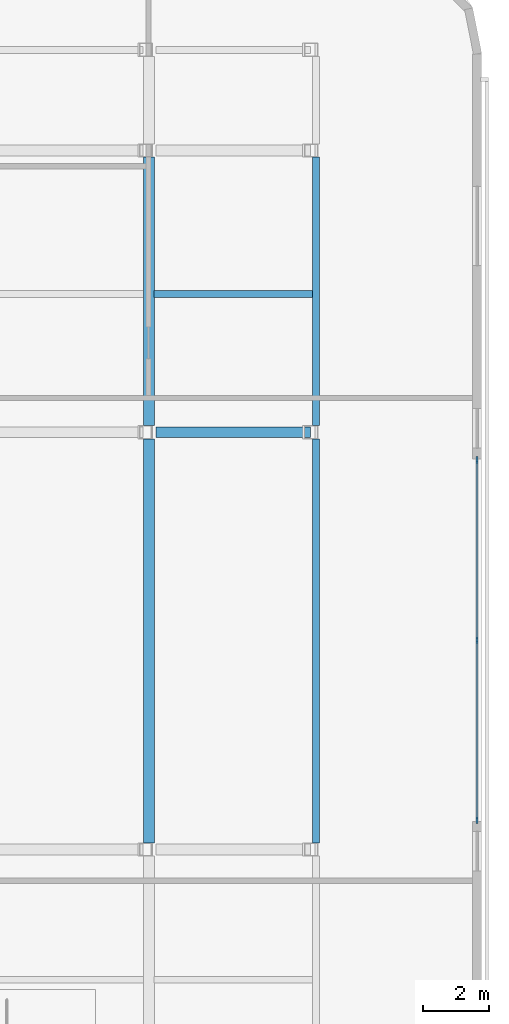
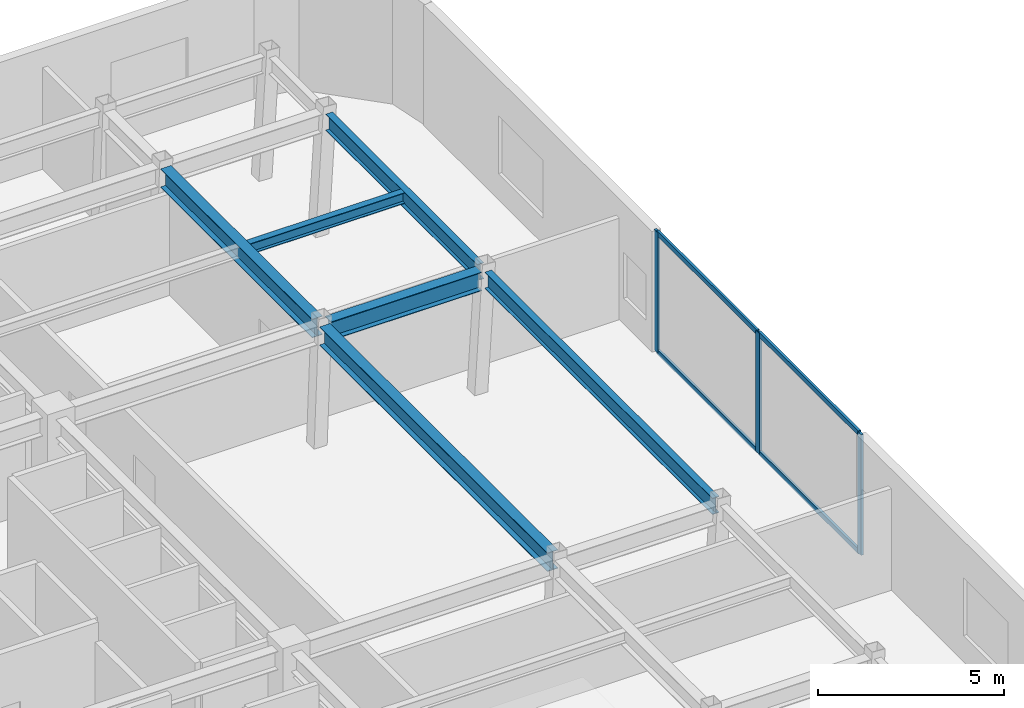
# One storey, part 4 of 13: 7 members, 6 beams, 1 element without a shape of its own.
"""IFC4 building model written with IfcOpenShell, lengths in metres."""

from ifc_helpers import new_model, si_unit, direction, frame, origin, origin_2d, place, context, subcontext, project, spatial, rectangle, i_section, extrude, material, layer, layer_set, material_profile, profile_set, type_object, element, aggregate, save


model = new_model("IFC4")

# Units and contexts
model_context = context("Model", 3, precision=1e-05, world=origin(), true_north=direction((0.0, 1.0)))
body_context = subcontext(model_context, "Body", "Model", "MODEL_VIEW")
ifc_project = project(units=[si_unit("LENGTHUNIT", "METRE"), si_unit("AREAUNIT", "SQUARE_METRE"), si_unit("VOLUMEUNIT", "CUBIC_METRE"), si_unit("PLANEANGLEUNIT", "RADIAN"), si_unit("MASSUNIT", "GRAM", prefix="KILO")], contexts=[model_context])

# Site, building, storey
site_placement = place(None, origin())
site = spatial("IfcSite", under=ifc_project, at=site_placement, CompositionType="ELEMENT")
building_placement = place(site_placement, origin())
building = spatial("IfcBuilding", under=site, at=building_placement, Name="Ochreholt Gables", CompositionType="ELEMENT")
storey_placement = place(building_placement, frame((0.0, 0.0, 98.39990234375)))
storey = spatial("IfcBuildingStorey", under=building, at=storey_placement, Name="L25", CompositionType="ELEMENT", Elevation=98.39990234375)

# Beams
ifc_material_1 = material(Name="Steel CSA G40.21 350W", Category="steel")
ifc_material_profile_1 = material_profile(ifc_material_1, i_section(OverallWidth=0.323974609375, OverallDepth=0.611083984375, WebThickness=0.0126953125, FlangeThickness=0.01904296875, at=origin_2d()), Name="W610X155")
ifc_profile_set_1 = profile_set([ifc_material_profile_1], Name="Steel CSA G40.21 350W")
beam_type_1 = type_object("IfcBeamType", Name="BM-G-W610A", PredefinedType="BEAM", material=ifc_profile_set_1)
beam_1_placement = place(storey_placement, frame((43.7294921875, 30.199951171875, 3.654541015625), z_axis=(1.0, 0.0, 0.0), x_axis=(0.0, 1.0, 0.0)))
element("IfcBeam", 1, at=beam_1_placement, inside=storey, type_object=beam_type_1, Name="L25 Beam TBG-L25-EMEE-Y4", PredefinedType="BEAM", context=body_context, shape_type="SweptSolid", body=[
    extrude(i_section(OverallWidth=0.323974609375, OverallDepth=0.611083984375, WebThickness=0.0126953125, FlangeThickness=0.01904296875, at=origin_2d()), origin(), (0.0, 0.0, 1.0), 4.675537109375),
])
beam_2_placement = place(storey_placement, frame((43.510009765625, 17.752685546875, 3.654541015625), z_axis=(0.0, 1.0, 0.0), x_axis=(-1.0, 0.0, 0.0)))
element("IfcBeam", 2, at=beam_2_placement, inside=storey, type_object=beam_type_1, Name="L25 Beam TBN-L25-EM-Y3Y4", PredefinedType="BEAM", context=body_context, shape_type="SweptSolid", body=[
    extrude(i_section(OverallWidth=0.323974609375, OverallDepth=0.611083984375, WebThickness=0.0126953125, FlangeThickness=0.01904296875, at=origin_2d()), origin(), (0.0, 0.0, 1.0), 12.24462890625),
])
beam_3_placement = place(storey_placement, frame((43.510009765625, 30.402587890625, 3.654541015625), z_axis=(0.0, 1.0, 0.0), x_axis=(-1.0, 0.0, 0.0)))
element("IfcBeam", 3, at=beam_3_placement, inside=storey, type_object=beam_type_1, Name="L25 Beam TBN-L25-EM-Y4Y5", PredefinedType="BEAM", context=body_context, shape_type="SweptSolid", body=[
    extrude(i_section(OverallWidth=0.323974609375, OverallDepth=0.611083984375, WebThickness=0.0126953125, FlangeThickness=0.01904296875, at=origin_2d()), origin(), (0.0, 0.0, 1.0), 8.144775390625),
])
ifc_material_profile_2 = material_profile(ifc_material_1, i_section(OverallWidth=0.205078125, OverallDepth=0.35400390625, WebThickness=0.009521484375, FlangeThickness=0.016845703125, at=origin_2d()), Name="W360X79")
ifc_profile_set_2 = profile_set([ifc_material_profile_2], Name="Steel CSA G40.21 350W")
beam_type_2 = type_object("IfcBeamType", Name="BM-J-W360A", PredefinedType="JOIST", material=ifc_profile_set_2)
beam_4_placement = place(storey_placement, frame((43.67138671875, 34.39990234375, 3.783203125), z_axis=(1.0, 0.0, 0.0), x_axis=(0.0, 1.0, 0.0)))
element("IfcBeam", 4, at=beam_4_placement, inside=storey, type_object=beam_type_2, Name="L25 Beam TBJ-L25-J2-EMEE", PredefinedType="JOIST", context=body_context, shape_type="SweptSolid", body=[
    extrude(i_section(OverallWidth=0.205078125, OverallDepth=0.35400390625, WebThickness=0.009521484375, FlangeThickness=0.016845703125, at=origin_2d()), origin(), (0.0, 0.0, 1.0), 4.8037109375),
])
ifc_material_profile_3 = material_profile(ifc_material_1, i_section(OverallWidth=0.208984375, OverallDepth=0.532958984375, WebThickness=0.01025390625, FlangeThickness=0.015625, at=origin_2d()), Name="W530X92")
ifc_profile_set_3 = profile_set([ifc_material_profile_3], Name="Steel CSA G40.21 350W")
beam_type_3 = type_object("IfcBeamType", Name="BM-SP-W530B", PredefinedType="SPANDREL", material=ifc_profile_set_3)
beam_5_placement = place(storey_placement, frame((48.5791015625, 17.752685546875, 3.693603515625), z_axis=(0.0, 1.0, 0.0), x_axis=(-1.0, 0.0, 0.0)))
element("IfcBeam", 5, at=beam_5_placement, inside=storey, type_object=beam_type_3, Name="L25 Beam TBN-L25-EE-Y3Y4", PredefinedType="SPANDREL", context=body_context, shape_type="SweptSolid", body=[
    extrude(i_section(OverallWidth=0.208984375, OverallDepth=0.532958984375, WebThickness=0.01025390625, FlangeThickness=0.015625, at=origin_2d()), origin(), (0.0, 0.0, 1.0), 12.24462890625),
])
beam_6_placement = place(storey_placement, frame((48.5791015625, 30.402587890625, 3.693603515625), z_axis=(0.0, 1.0, 0.0), x_axis=(-1.0, 0.0, 0.0)))
element("IfcBeam", 6, at=beam_6_placement, inside=storey, type_object=beam_type_3, Name="L25 Beam TBN-L25-EE-Y4Y5", PredefinedType="SPANDREL", context=body_context, shape_type="SweptSolid", body=[
    extrude(i_section(OverallWidth=0.208984375, OverallDepth=0.532958984375, WebThickness=0.01025390625, FlangeThickness=0.015625, at=origin_2d()), origin(), (0.0, 0.0, 1.0), 8.144775390625),
])

# Curtain wall, members
ifc_material_2 = material(Name="Unitised Aluminium and Triple Glazing", Category="aluminium")
ifc_layer = layer(ifc_material_2, 0.219970703125, Name="Unitised Aluminium and Triple Glazing")
ifc_layer_set = layer_set([ifc_layer], Name="Unitised Aluminium and Triple Glazing")
curtain_wall_type = type_object("IfcCurtainWallType", Name="CW-SYS6", PredefinedType="NOTDEFINED", material=ifc_layer_set)
curtain_wall_placement = place(storey_placement, origin())
curtain_wall = element("IfcCurtainWall", 7, at=curtain_wall_placement, inside=storey, type_object=curtain_wall_type, Name="L25 East Unitised Curtain Wall", PredefinedType="NOTDEFINED")
ifc_material_3 = material(Name="Anodized Aluminium 6063-T6", Category="aluminium")
ifc_material_profile_4 = material_profile(ifc_material_3, rectangle(XDim=0.074951171875, YDim=0.199951171875, at=origin_2d()), Name="CWM75X200")
ifc_profile_set_4 = profile_set([ifc_material_profile_4], Name="Anodized Aluminium 6063-T6")
member_type_1 = type_object("IfcMemberType", Name="CW-MUL-A", PredefinedType="MULLION", material=ifc_profile_set_4)
member_1_placement = place(storey_placement, frame((53.4599609375, 18.4375, 0.0), z_axis=(0.0, 0.0, 1.0), x_axis=(-1.0, 0.0, 0.0)))
member_1 = element("IfcMember", 8, at=member_1_placement, type_object=member_type_1, Name="CW-6 mullion 1", PredefinedType="MULLION", context=body_context, shape_type="SweptSolid", body=[
    extrude(rectangle(XDim=0.074951171875, YDim=0.199951171875, at=origin_2d()), origin(), (0.0, 0.0, 1.0), 3.960205078125),
])
member_2_placement = place(storey_placement, frame((53.4599609375, 23.89990234375, 0.0), z_axis=(0.0, 0.0, 1.0), x_axis=(-1.0, 0.0, 0.0)))
member_2 = element("IfcMember", 9, at=member_2_placement, type_object=member_type_1, Name="CW-6 mullion 2", PredefinedType="MULLION", context=body_context, shape_type="SweptSolid", body=[
    extrude(rectangle(XDim=0.074951171875, YDim=0.199951171875, at=origin_2d()), origin(), (0.0, 0.0, 1.0), 3.960205078125),
])
member_3_placement = place(storey_placement, frame((53.4599609375, 29.362548828125, 0.0), z_axis=(0.0, 0.0, 1.0), x_axis=(-1.0, 0.0, 0.0)))
member_3 = element("IfcMember", 10, at=member_3_placement, type_object=member_type_1, Name="CW-6 mullion 3", PredefinedType="MULLION", context=body_context, shape_type="SweptSolid", body=[
    extrude(rectangle(XDim=0.074951171875, YDim=0.199951171875, at=origin_2d()), origin(), (0.0, 0.0, 1.0), 3.960205078125),
])
ifc_material_profile_5 = material_profile(ifc_material_3, rectangle(XDim=0.074951171875, YDim=0.159912109375, at=origin_2d()), Name="CWT75X160")
ifc_profile_set_5 = profile_set([ifc_material_profile_5], Name="Anodized Aluminium 6063-T6")
member_type_2 = type_object("IfcMemberType", Name="CW-TRN-A", PredefinedType="USERDEFINED", material=ifc_profile_set_5)
member_4_placement = place(storey_placement, frame((53.4599609375, 18.47509765625, 0.03759765625), z_axis=(0.0, 1.0, 0.0), x_axis=(-1.0, 0.0, 0.0)))
member_4 = element("IfcMember", 11, at=member_4_placement, type_object=member_type_2, Name="CW-6 transom 1.1", ObjectType="TRANSOM", PredefinedType="USERDEFINED", context=body_context, shape_type="SweptSolid", body=[
    extrude(rectangle(XDim=0.074951171875, YDim=0.159912109375, at=origin_2d()), origin(), (0.0, 0.0, 1.0), 5.387451171875),
])
member_5_placement = place(storey_placement, frame((53.4599609375, 18.47509765625, 3.922607421875), z_axis=(0.0, 1.0, 0.0), x_axis=(-1.0, 0.0, 0.0)))
member_5 = element("IfcMember", 12, at=member_5_placement, type_object=member_type_2, Name="CW-6 transom 1.2", ObjectType="TRANSOM", PredefinedType="USERDEFINED", context=body_context, shape_type="SweptSolid", body=[
    extrude(rectangle(XDim=0.074951171875, YDim=0.159912109375, at=origin_2d()), origin(), (0.0, 0.0, 1.0), 5.387451171875),
])
member_6_placement = place(storey_placement, frame((53.4599609375, 23.9375, 0.03759765625), z_axis=(0.0, 1.0, 0.0), x_axis=(-1.0, 0.0, 0.0)))
member_6 = element("IfcMember", 13, at=member_6_placement, type_object=member_type_2, Name="CW-6 transom 2.1", ObjectType="TRANSOM", PredefinedType="USERDEFINED", context=body_context, shape_type="SweptSolid", body=[
    extrude(rectangle(XDim=0.074951171875, YDim=0.159912109375, at=origin_2d()), origin(), (0.0, 0.0, 1.0), 5.387451171875),
])
member_7_placement = place(storey_placement, frame((53.4599609375, 23.9375, 3.922607421875), z_axis=(0.0, 1.0, 0.0), x_axis=(-1.0, 0.0, 0.0)))
member_7 = element("IfcMember", 14, at=member_7_placement, type_object=member_type_2, Name="CW-6 transom 2.2", ObjectType="TRANSOM", PredefinedType="USERDEFINED", context=body_context, shape_type="SweptSolid", body=[
    extrude(rectangle(XDim=0.074951171875, YDim=0.159912109375, at=origin_2d()), origin(), (0.0, 0.0, 1.0), 5.387451171875),
])
aggregate(curtain_wall, [member_1, member_2, member_3, member_4, member_5, member_6, member_7])

save(model, "model.ifc")
